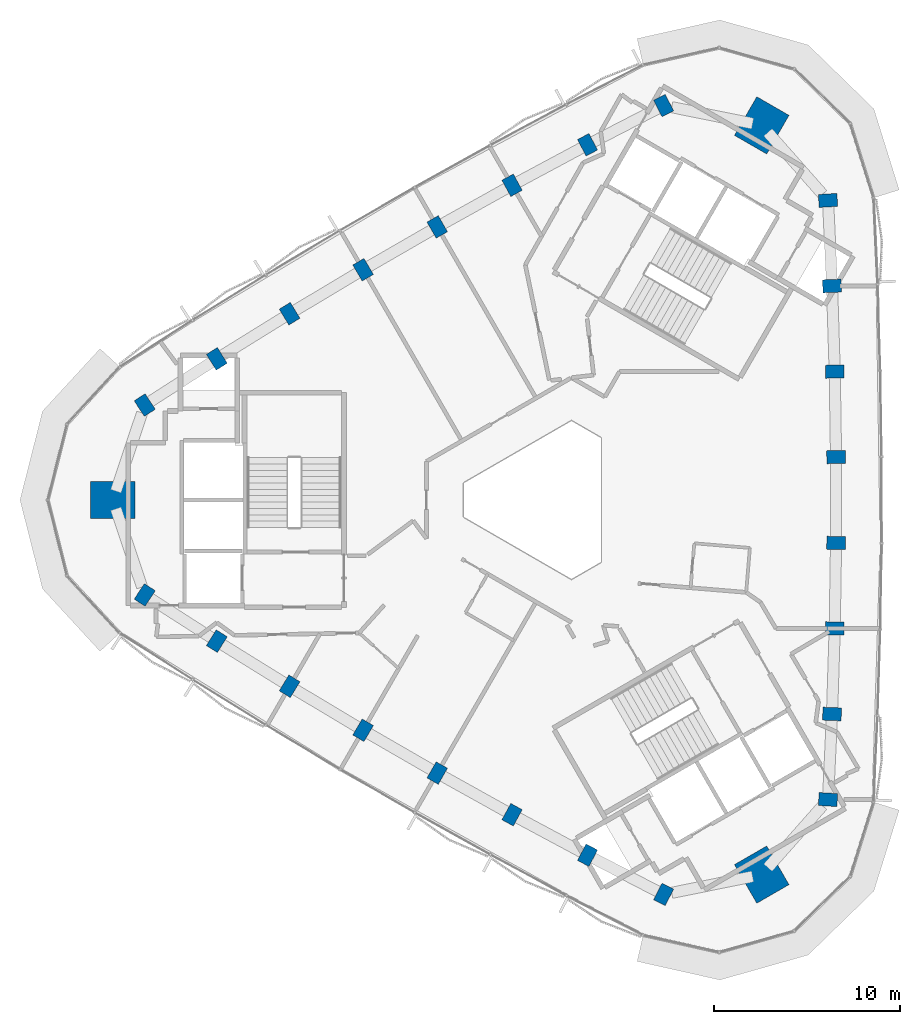
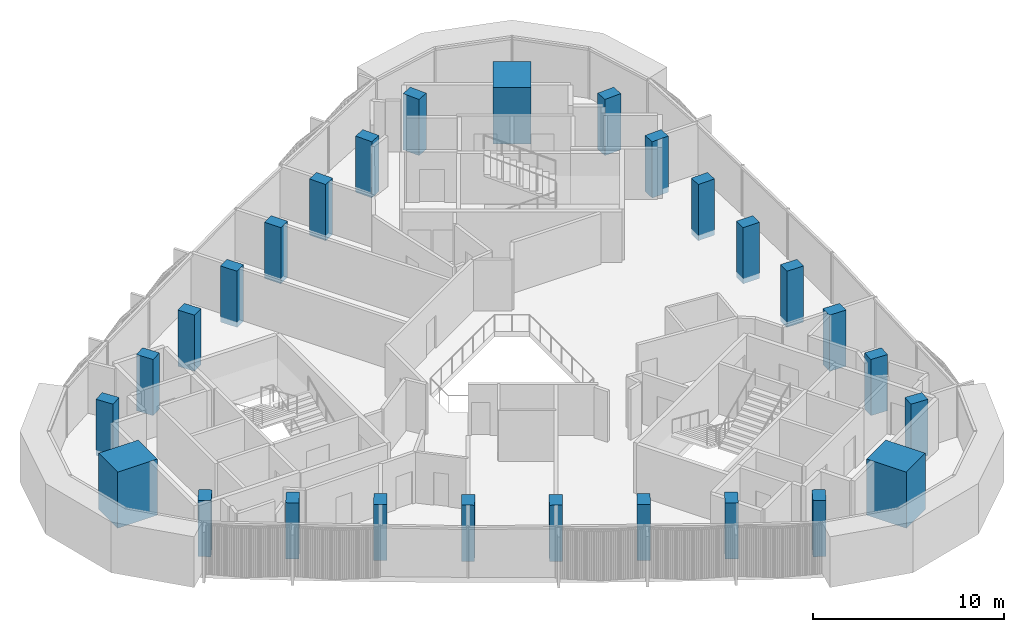
# One storey, part 1 of 12: 27 columns.
"""IFC4 building model written with IfcOpenShell, lengths in metres."""

from ifc_helpers import new_model, si_unit, direction, frame, origin, origin_2d, place, context, subcontext, project, spatial, rectangle, extrude, material, material_profile, profile_set, type_object, element, save


model = new_model("IFC4")

# Units and contexts
model_context = context("Model", 3, precision=1e-05, world=origin(), true_north=direction((0.0, 1.0)))
body_context = subcontext(model_context, "Body", "Model", "MODEL_VIEW")
ifc_project = project(units=[si_unit("LENGTHUNIT", "METRE"), si_unit("AREAUNIT", "SQUARE_METRE"), si_unit("VOLUMEUNIT", "CUBIC_METRE"), si_unit("PLANEANGLEUNIT", "RADIAN"), si_unit("MASSUNIT", "GRAM", prefix="KILO")], contexts=[model_context])

# Site, building, storey
site_placement = place(None, origin())
site = spatial("IfcSite", under=ifc_project, at=site_placement, CompositionType="ELEMENT")
building_placement = place(site_placement, origin())
building = spatial("IfcBuilding", under=site, at=building_placement, Name="Tamra Quay Hotel Tower", CompositionType="ELEMENT")
storey_placement = place(building_placement, frame((0.0, 0.0, 280.199951171875)))
storey = spatial("IfcBuildingStorey", under=building, at=storey_placement, Name="L71", CompositionType="ELEMENT", Elevation=280.199951171875)

# Columns
ifc_material = material(Name="Concrete M70", Category="concrete")
ifc_material_profile_1 = material_profile(ifc_material, rectangle(XDim=1.0, YDim=0.699951171875, at=origin_2d()), Name="COLUMN RC 700x1000 Z6")
ifc_profile_set_1 = profile_set([ifc_material_profile_1], Name="Concrete M70")
column_type_1 = type_object("IfcColumnType", Name="COLUMN RC 700x1000 Z6", PredefinedType="COLUMN", material=ifc_profile_set_1)
for number, where, z_axis, x_axis, name in (
    (1, (15.202392578125, -16.116943359375, -0.349853515625), (0.0, 0.0, 1.0), (-0.998490919119, 0.05491706873, 0.0), "COL-C6E01-L71"),
    (2, (15.418212890625, -11.51513671875, -0.349853515625), (0.0, 0.0, 1.0), (-0.999251212442, 0.03869127076, 0.0), "COL-C6E02-L71"),
    (3, (15.56201171875, -6.909912109375, -0.349853515625), (0.0, 0.0, 1.0), (-0.999717847188, 0.023753442163, 0.0), "COL-C6E03-L71"),
    (4, (15.634033203125, -2.303466796875, -0.349853515625), (0.0, 0.0, 1.0), (-0.999968634555, 0.007920221337, 0.0), "COL-C6E04-L71"),
    (5, (15.634033203125, 2.303466796875, -0.349853515625), (0.0, 0.0, 1.0), (0.999968634555, 0.007920221337, 0.0), "COL-C6E05-L71"),
    (6, (15.56201171875, 6.909912109375, -0.349853515625), (0.0, 0.0, 1.0), (0.999717847188, 0.023753442163, 0.0), "COL-C6E06-L71"),
    (7, (15.418212890625, 11.51513671875, -0.349853515625), (0.0, 0.0, 1.0), (0.999251212442, 0.03869127076, 0.0), "COL-C6E07-L71"),
    (8, (15.202392578125, 16.116943359375, -0.349853515625), (0.0, 0.0, 1.0), (0.998490919119, 0.05491706873, 0.0), "COL-C6E08-L71"),
    (9, (6.3564453125, 21.22412109375, -0.349853515625), (0.0, 0.0, 1.0), (-0.451685882938, 0.89217703577, 0.0), "COL-C6NW01-L71"),
    (10, (2.26318359375, 19.110107421875, -0.349853515625), (0.0, 0.0, 1.0), (-0.466117982839, 0.884722570117, 0.0), "COL-C6NW02-L71"),
    (11, (-1.796875, 16.93212890625, -0.349853515625), (0.0, 0.0, 1.0), (-0.479287839253, 0.877657773363, 0.0), "COL-C6NW03-L71"),
    (12, (-5.822265625, 14.69140625, -0.349853515625), (0.0, 0.0, 1.0), (-0.493125204396, 0.869958351181, 0.0), "COL-C6NW04-L71"),
    (13, (-9.81201171875, 12.3876953125, -0.349853515625), (0.0, 0.0, 1.0), (-0.506843430159, 0.862038129844, 0.0), "COL-C6NW05-L71"),
    (14, (-13.765380859375, 10.022216796875, -0.349853515625), (0.0, 0.0, 1.0), (-0.520430007934, 0.8539043312, 0.0), "COL-C6NW06-L71"),
    (15, (-17.681396484375, 7.594970703125, -0.349853515625), (0.0, 0.0, 1.0), (-0.533133229604, 0.846031299357, 0.0), "COL-C6NW07-L71"),
    (16, (-21.558837890625, 5.107421875, -0.349853515625), (0.0, 0.0, 1.0), (-0.546805036181, 0.83725996704, 0.0), "COL-C6NW08-L71"),
    (17, (-21.558837890625, -5.107421875, -0.349853515625), (0.0, 0.0, 1.0), (0.546805036181, 0.83725996704, 0.0), "COL-C6SW01-L71"),
    (18, (-17.681396484375, -7.594970703125, -0.349853515625), (0.0, 0.0, 1.0), (0.533133229604, 0.846031299357, 0.0), "COL-C6SW02-L71"),
    (19, (-13.765380859375, -10.022216796875, -0.349853515625), (0.0, 0.0, 1.0), (0.520430007934, 0.8539043312, 0.0), "COL-C6SW03-L71"),
    (20, (-9.81201171875, -12.3876953125, -0.349853515625), (0.0, 0.0, 1.0), (0.506843430159, 0.862038129844, 0.0), "COL-C6SW04-L71"),
    (21, (-5.822265625, -14.69140625, -0.349853515625), (0.0, 0.0, 1.0), (0.493125204396, 0.869958351181, 0.0), "COL-C6SW05-L71"),
    (22, (-1.796875, -16.93212890625, -0.349853515625), (0.0, 0.0, 1.0), (0.479287839253, 0.877657773363, 0.0), "COL-C6SW06-L71"),
    (23, (2.26318359375, -19.110107421875, -0.349853515625), (0.0, 0.0, 1.0), (0.466117982839, 0.884722570117, 0.0), "COL-C6SW07-L71"),
    (24, (6.3564453125, -21.22412109375, -0.349853515625), (0.0, 0.0, 1.0), (0.451685882938, 0.89217703577, 0.0), "COL-C6SW08-L71"),
):
    element("IfcColumn", number, at=place(storey_placement, frame(where, z_axis=z_axis, x_axis=x_axis)), inside=storey, type_object=column_type_1, Name=name, PredefinedType="COLUMN", context=body_context, shape_type="SweptSolid", body=[
        extrude(rectangle(XDim=1.0, YDim=0.699951171875, at=origin_2d()), origin(), (0.0, 0.0, 1.0), 3.599853515625),
    ])
ifc_material_profile_2 = material_profile(ifc_material, rectangle(XDim=2.39990234375, YDim=2.0, at=origin_2d()), Name="MEGA COLUMN RC 2000x2400 Z6")
ifc_profile_set_2 = profile_set([ifc_material_profile_2], Name="Concrete M70")
column_type_2 = type_object("IfcColumnType", Name="MEGA COLUMN RC 2000x2400 Z6", PredefinedType="COLUMN", material=ifc_profile_set_2)
for number, where, z_axis, x_axis, name in (
    (25, (11.63671875, 20.1552734375, -0.349853515625), (0.0, 0.0, 1.0), (0.5, 0.866025403784, 0.0), "COL-M6NE-L71"),
    (26, (-23.2734375, 0.0, -0.349853515625), (0.0, 0.0, 1.0), (1.0, 0.0, 0.0), "COL-M6W-L71"),
    (27, (11.63671875, -20.1552734375, -0.349853515625), (0.0, 0.0, 1.0), (-0.5, 0.866025403784, 0.0), "COL-M6SE-L71"),
):
    element("IfcColumn", number, at=place(storey_placement, frame(where, z_axis=z_axis, x_axis=x_axis)), inside=storey, type_object=column_type_2, Name=name, PredefinedType="COLUMN", context=body_context, shape_type="SweptSolid", body=[
        extrude(rectangle(XDim=2.39990234375, YDim=2.0, at=origin_2d()), origin(), (0.0, 0.0, 1.0), 3.599853515625),
    ])

save(model, "model.ifc")
